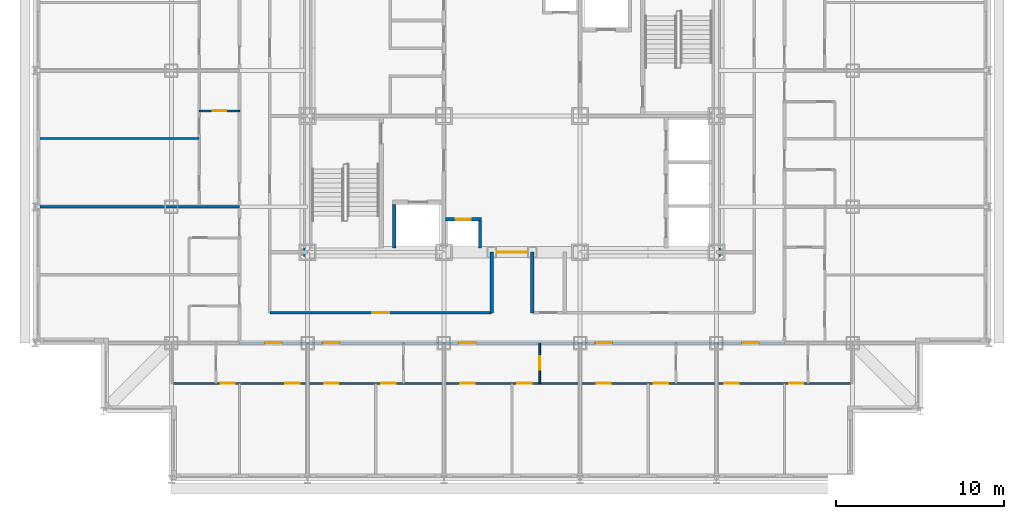
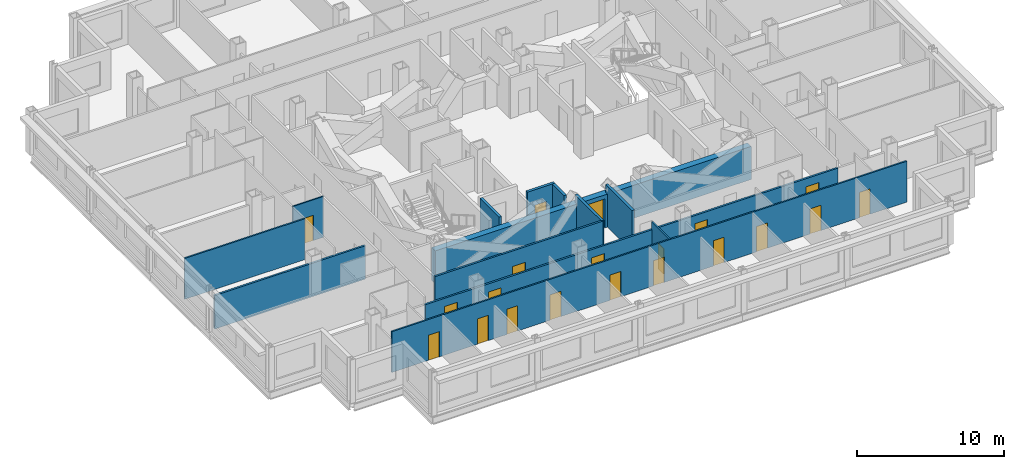
# One storey, part 5 of 12: 20 doors, 13 walls, 20 openings.
"""IFC4 building model written with IfcOpenShell, lengths in metres."""

from ifc_helpers import new_model, si_unit, direction, frame, frame_2d, origin, place, context, subcontext, project, spatial, rectangle, extrude, material, layer, layer_set, type_object, element, fill, save


model = new_model("IFC4")

# Units and contexts
model_context = context("Model", 3, precision=1e-05, world=origin(), true_north=direction((0.0, 1.0)))
body_context = subcontext(model_context, "Body", "Model", "MODEL_VIEW")
ifc_project = project(units=[si_unit("LENGTHUNIT", "METRE"), si_unit("AREAUNIT", "SQUARE_METRE"), si_unit("VOLUMEUNIT", "CUBIC_METRE"), si_unit("PLANEANGLEUNIT", "RADIAN"), si_unit("MASSUNIT", "GRAM", prefix="KILO")], contexts=[model_context])

# Site, building, storey
site_placement = place(None, origin())
site = spatial("IfcSite", under=ifc_project, at=site_placement, CompositionType="ELEMENT")
building_placement = place(site_placement, origin())
building = spatial("IfcBuilding", under=site, at=building_placement, Name="Kopane Lantern Tower", CompositionType="ELEMENT")
storey_placement = place(building_placement, frame((0.0, 0.0, 188.39990234375)))
storey = spatial("IfcBuildingStorey", under=building, at=storey_placement, Name="L48", CompositionType="ELEMENT", Elevation=188.39990234375)

# Wall
ifc_material_1 = material(Name="Gypsum board on steel studs", Category="steel")
ifc_layer_1 = layer(ifc_material_1, 0.1201171875)
ifc_layer_set_1 = layer_set([ifc_layer_1], Name="APARTMENT INTERNAL WALL 120")
wall_type_1 = type_object("IfcWallType", Name="APARTMENT INTERNAL WALL 120", PredefinedType="PARTITIONING", material=ifc_layer_set_1)
wall_1_placement = place(storey_placement, frame((9.75, 31.050048828125, 0.0), z_axis=(0.0, 0.0, 1.0), x_axis=(-1.0, 0.0, 0.0)))
element("IfcWall", 1, at=wall_1_placement, inside=storey, type_object=wall_type_1, Name="Apartment Internal Wall 120 L48", PredefinedType="PARTITIONING", context=body_context, shape_type="SweptSolid", body=[
    extrude(rectangle(XDim=9.449951171875, YDim=0.1201171875, at=frame_2d((4.72509765625, 0.0))), origin(), (0.0, 0.0, 1.0), 3.39013671875),
])

# Wall, openings, doors
wall_2_placement = place(storey_placement, frame((8.14990234375, 16.5, 0.0), z_axis=(0.0, 0.0, 1.0), x_axis=(1.0, 0.0, 0.0)))
wall_2 = element("IfcWall", 2, at=wall_2_placement, inside=storey, type_object=wall_type_1, Name="Apartment Internal Wall 120 L48", PredefinedType="PARTITIONING", context=body_context, shape_type="SweptSolid", body=[
    extrude(rectangle(XDim=40.400146484375, YDim=0.1201171875, at=frame_2d((20.2001953125, 0.0))), origin(), (0.0, 0.0, 1.0), 3.39013671875),
])
opening_1_placement = place(wall_2_placement, frame((9.02490234375, 0.0, 0.0)))
opening_1 = element("IfcOpeningElement", 3, at=opening_1_placement, cuts=wall_2, Name="Opening L48-014", PredefinedType="OPENING", context=body_context, shape_type="SweptSolid", body=[
    extrude(rectangle(XDim=0.85009765625, YDim=2.10009765625, at=frame_2d((0.425048828125, 1.050048828125))), frame((0.0, 0.070068359375, 0.0), z_axis=(0.0, -1.0, 0.0), x_axis=(1.0, 0.0, 0.0)), (0.0, 0.0, 1.0), 0.14013671875),
])
opening_2_placement = place(wall_2_placement, frame((12.425048828125, 0.0, 0.0)))
opening_2 = element("IfcOpeningElement", 4, at=opening_2_placement, cuts=wall_2, Name="Opening L48-015", PredefinedType="OPENING", context=body_context, shape_type="SweptSolid", body=[
    extrude(rectangle(XDim=0.85009765625, YDim=2.10009765625, at=frame_2d((0.425048828125, 1.050048828125))), frame((0.0, 0.070068359375, 0.0), z_axis=(0.0, -1.0, 0.0), x_axis=(1.0, 0.0, 0.0)), (0.0, 0.0, 1.0), 0.14013671875),
])
opening_3_placement = place(wall_2_placement, frame((17.125, 0.0, 0.0)))
opening_3 = element("IfcOpeningElement", 5, at=opening_3_placement, cuts=wall_2, Name="Opening L48-018", PredefinedType="OPENING", context=body_context, shape_type="SweptSolid", body=[
    extrude(rectangle(XDim=0.85009765625, YDim=2.10009765625, at=frame_2d((0.425048828125, 1.050048828125))), frame((0.0, 0.070068359375, 0.0), z_axis=(0.0, -1.0, 0.0), x_axis=(1.0, 0.0, 0.0)), (0.0, 0.0, 1.0), 0.14013671875),
])
opening_4_placement = place(wall_2_placement, frame((20.52490234375, 0.0, 0.0)))
opening_4 = element("IfcOpeningElement", 6, at=opening_4_placement, cuts=wall_2, Name="Opening L48-019", PredefinedType="OPENING", context=body_context, shape_type="SweptSolid", body=[
    extrude(rectangle(XDim=0.85009765625, YDim=2.10009765625, at=frame_2d((0.425048828125, 1.050048828125))), frame((0.0, 0.070068359375, 0.0), z_axis=(0.0, -1.0, 0.0), x_axis=(1.0, 0.0, 0.0)), (0.0, 0.0, 1.0), 0.14013671875),
])
opening_5_placement = place(wall_2_placement, frame((25.22509765625, 0.0, 0.0)))
opening_5 = element("IfcOpeningElement", 7, at=opening_5_placement, cuts=wall_2, Name="Opening L48-022", PredefinedType="OPENING", context=body_context, shape_type="SweptSolid", body=[
    extrude(rectangle(XDim=0.85009765625, YDim=2.10009765625, at=frame_2d((0.425048828125, 1.050048828125))), frame((0.0, 0.070068359375, 0.0), z_axis=(0.0, -1.0, 0.0), x_axis=(1.0, 0.0, 0.0)), (0.0, 0.0, 1.0), 0.14013671875),
])
opening_6_placement = place(wall_2_placement, frame((28.625, 0.0, 0.0)))
opening_6 = element("IfcOpeningElement", 8, at=opening_6_placement, cuts=wall_2, Name="Opening L48-023", PredefinedType="OPENING", context=body_context, shape_type="SweptSolid", body=[
    extrude(rectangle(XDim=0.85009765625, YDim=2.10009765625, at=frame_2d((0.425048828125, 1.050048828125))), frame((0.0, 0.070068359375, 0.0), z_axis=(0.0, -1.0, 0.0), x_axis=(1.0, 0.0, 0.0)), (0.0, 0.0, 1.0), 0.14013671875),
])
opening_7_placement = place(wall_2_placement, frame((6.72509765625, 0.0, 0.0)))
opening_7 = element("IfcOpeningElement", 9, at=opening_7_placement, cuts=wall_2, Name="Opening L48-061", PredefinedType="OPENING", context=body_context, shape_type="SweptSolid", body=[
    extrude(rectangle(XDim=0.85009765625, YDim=2.10009765625, at=frame_2d((0.425048828125, 1.050048828125))), frame((0.0, 0.070068359375, 0.0), z_axis=(0.0, -1.0, 0.0), x_axis=(1.0, 0.0, 0.0)), (0.0, 0.0, 1.0), 0.14013671875),
])
opening_8_placement = place(wall_2_placement, frame((2.875, 0.0, 0.0)))
opening_8 = element("IfcOpeningElement", 10, at=opening_8_placement, cuts=wall_2, Name="Opening L48-063", PredefinedType="OPENING", context=body_context, shape_type="SweptSolid", body=[
    extrude(rectangle(XDim=0.85009765625, YDim=2.10009765625, at=frame_2d((0.425048828125, 1.050048828125))), frame((0.0, 0.070068359375, 0.0), z_axis=(0.0, -1.0, 0.0), x_axis=(1.0, 0.0, 0.0)), (0.0, 0.0, 1.0), 0.14013671875),
])
opening_9_placement = place(wall_2_placement, frame((32.824951171875, 0.0, 0.0)))
opening_9 = element("IfcOpeningElement", 11, at=opening_9_placement, cuts=wall_2, Name="Opening L48-065", PredefinedType="OPENING", context=body_context, shape_type="SweptSolid", body=[
    extrude(rectangle(XDim=0.85009765625, YDim=2.10009765625, at=frame_2d((0.425048828125, 1.050048828125))), frame((0.0, 0.070068359375, 0.0), z_axis=(0.0, -1.0, 0.0), x_axis=(1.0, 0.0, 0.0)), (0.0, 0.0, 1.0), 0.14013671875),
])
opening_10_placement = place(wall_2_placement, frame((36.675048828125, 0.0, 0.0)))
opening_10 = element("IfcOpeningElement", 12, at=opening_10_placement, cuts=wall_2, Name="Opening L48-067", PredefinedType="OPENING", context=body_context, shape_type="SweptSolid", body=[
    extrude(rectangle(XDim=0.85009765625, YDim=2.10009765625, at=frame_2d((0.425048828125, 1.050048828125))), frame((0.0, 0.070068359375, 0.0), z_axis=(0.0, -1.0, 0.0), x_axis=(1.0, 0.0, 0.0)), (0.0, 0.0, 1.0), 0.14013671875),
])
ifc_material_2 = material(Name="Timber door set", Category="wood")
door_type_1 = type_object("IfcDoorType", Name="DOOR D4 850x2100", OperationType="SINGLE_SWING_LEFT", PredefinedType="DOOR", material=ifc_material_2)
door_1_placement = place(opening_1_placement, origin())
door_1 = element("IfcDoor", 13, at=door_1_placement, inside=storey, type_object=door_type_1, Name="Door L48-014", OperationType="SINGLE_SWING_LEFT", OverallHeight=2.10009765625, OverallWidth=0.85009765625, PredefinedType="DOOR", context=body_context, shape_type="SweptSolid", body=[
    extrude(rectangle(XDim=0.85009765625, YDim=2.10009765625, at=frame_2d((0.425048828125, 1.050048828125))), frame((0.0, 0.02490234375, 0.0), z_axis=(0.0, -1.0, 0.0), x_axis=(1.0, 0.0, 0.0)), (0.0, 0.0, 1.0), 0.050048828125),
])
fill(opening_1, door_1)
door_2_placement = place(opening_2_placement, origin())
door_2 = element("IfcDoor", 14, at=door_2_placement, inside=storey, type_object=door_type_1, Name="Door L48-015", OperationType="SINGLE_SWING_RIGHT", OverallHeight=2.10009765625, OverallWidth=0.85009765625, PredefinedType="DOOR", context=body_context, shape_type="SweptSolid", body=[
    extrude(rectangle(XDim=0.85009765625, YDim=2.10009765625, at=frame_2d((0.425048828125, 1.050048828125))), frame((0.0, 0.02490234375, 0.0), z_axis=(0.0, -1.0, 0.0), x_axis=(1.0, 0.0, 0.0)), (0.0, 0.0, 1.0), 0.050048828125),
])
fill(opening_2, door_2)
door_3_placement = place(opening_3_placement, origin())
door_3 = element("IfcDoor", 15, at=door_3_placement, inside=storey, type_object=door_type_1, Name="Door L48-018", OperationType="SINGLE_SWING_LEFT", OverallHeight=2.10009765625, OverallWidth=0.85009765625, PredefinedType="DOOR", context=body_context, shape_type="SweptSolid", body=[
    extrude(rectangle(XDim=0.85009765625, YDim=2.10009765625, at=frame_2d((0.425048828125, 1.050048828125))), frame((0.0, 0.02490234375, 0.0), z_axis=(0.0, -1.0, 0.0), x_axis=(1.0, 0.0, 0.0)), (0.0, 0.0, 1.0), 0.050048828125),
])
fill(opening_3, door_3)
door_4_placement = place(opening_4_placement, origin())
door_4 = element("IfcDoor", 16, at=door_4_placement, inside=storey, type_object=door_type_1, Name="Door L48-019", OperationType="SINGLE_SWING_RIGHT", OverallHeight=2.10009765625, OverallWidth=0.85009765625, PredefinedType="DOOR", context=body_context, shape_type="SweptSolid", body=[
    extrude(rectangle(XDim=0.85009765625, YDim=2.10009765625, at=frame_2d((0.425048828125, 1.050048828125))), frame((0.0, 0.02490234375, 0.0), z_axis=(0.0, -1.0, 0.0), x_axis=(1.0, 0.0, 0.0)), (0.0, 0.0, 1.0), 0.050048828125),
])
fill(opening_4, door_4)
door_5_placement = place(opening_5_placement, origin())
door_5 = element("IfcDoor", 17, at=door_5_placement, inside=storey, type_object=door_type_1, Name="Door L48-022", OperationType="SINGLE_SWING_LEFT", OverallHeight=2.10009765625, OverallWidth=0.85009765625, PredefinedType="DOOR", context=body_context, shape_type="SweptSolid", body=[
    extrude(rectangle(XDim=0.85009765625, YDim=2.10009765625, at=frame_2d((0.425048828125, 1.050048828125))), frame((0.0, 0.02490234375, 0.0), z_axis=(0.0, -1.0, 0.0), x_axis=(1.0, 0.0, 0.0)), (0.0, 0.0, 1.0), 0.050048828125),
])
fill(opening_5, door_5)
door_6_placement = place(opening_6_placement, origin())
door_6 = element("IfcDoor", 18, at=door_6_placement, inside=storey, type_object=door_type_1, Name="Door L48-023", OperationType="SINGLE_SWING_RIGHT", OverallHeight=2.10009765625, OverallWidth=0.85009765625, PredefinedType="DOOR", context=body_context, shape_type="SweptSolid", body=[
    extrude(rectangle(XDim=0.85009765625, YDim=2.10009765625, at=frame_2d((0.425048828125, 1.050048828125))), frame((0.0, 0.02490234375, 0.0), z_axis=(0.0, -1.0, 0.0), x_axis=(1.0, 0.0, 0.0)), (0.0, 0.0, 1.0), 0.050048828125),
])
fill(opening_6, door_6)
door_7_placement = place(opening_7_placement, origin())
door_7 = element("IfcDoor", 19, at=door_7_placement, inside=storey, type_object=door_type_1, Name="Door L48-061", OperationType="SINGLE_SWING_RIGHT", OverallHeight=2.10009765625, OverallWidth=0.85009765625, PredefinedType="DOOR", context=body_context, shape_type="SweptSolid", body=[
    extrude(rectangle(XDim=0.85009765625, YDim=2.10009765625, at=frame_2d((0.425048828125, 1.050048828125))), frame((0.0, 0.02490234375, 0.0), z_axis=(0.0, -1.0, 0.0), x_axis=(1.0, 0.0, 0.0)), (0.0, 0.0, 1.0), 0.050048828125),
])
fill(opening_7, door_7)
door_8_placement = place(opening_8_placement, origin())
door_8 = element("IfcDoor", 20, at=door_8_placement, inside=storey, type_object=door_type_1, Name="Door L48-063", OperationType="SINGLE_SWING_LEFT", OverallHeight=2.10009765625, OverallWidth=0.85009765625, PredefinedType="DOOR", context=body_context, shape_type="SweptSolid", body=[
    extrude(rectangle(XDim=0.85009765625, YDim=2.10009765625, at=frame_2d((0.425048828125, 1.050048828125))), frame((0.0, 0.02490234375, 0.0), z_axis=(0.0, -1.0, 0.0), x_axis=(1.0, 0.0, 0.0)), (0.0, 0.0, 1.0), 0.050048828125),
])
fill(opening_8, door_8)
door_9_placement = place(opening_9_placement, origin())
door_9 = element("IfcDoor", 21, at=door_9_placement, inside=storey, type_object=door_type_1, Name="Door L48-065", OperationType="SINGLE_SWING_LEFT", OverallHeight=2.10009765625, OverallWidth=0.85009765625, PredefinedType="DOOR", context=body_context, shape_type="SweptSolid", body=[
    extrude(rectangle(XDim=0.85009765625, YDim=2.10009765625, at=frame_2d((0.425048828125, 1.050048828125))), frame((0.0, 0.02490234375, 0.0), z_axis=(0.0, -1.0, 0.0), x_axis=(1.0, 0.0, 0.0)), (0.0, 0.0, 1.0), 0.050048828125),
])
fill(opening_9, door_9)
door_10_placement = place(opening_10_placement, origin())
door_10 = element("IfcDoor", 22, at=door_10_placement, inside=storey, type_object=door_type_1, Name="Door L48-067", OperationType="SINGLE_SWING_RIGHT", OverallHeight=2.10009765625, OverallWidth=0.85009765625, PredefinedType="DOOR", context=body_context, shape_type="SweptSolid", body=[
    extrude(rectangle(XDim=0.85009765625, YDim=2.10009765625, at=frame_2d((0.425048828125, 1.050048828125))), frame((0.0, 0.02490234375, 0.0), z_axis=(0.0, -1.0, 0.0), x_axis=(1.0, 0.0, 0.0)), (0.0, 0.0, 1.0), 0.050048828125),
])
fill(opening_10, door_10)

# Wall, opening, door
ifc_material_3 = material(Name="Moisture-resistant board on steel studs", Category="steel")
ifc_layer_2 = layer(ifc_material_3, 0.10009765625)
ifc_layer_set_2 = layer_set([ifc_layer_2], Name="BATHROOM WALL 100")
wall_type_2 = type_object("IfcWallType", Name="BATHROOM WALL 100", PredefinedType="PARTITIONING", material=ifc_layer_set_2)
wall_3_placement = place(storey_placement, frame((30.0, 18.89990234375, 0.0), z_axis=(0.0, 0.0, 1.0), x_axis=(0.0, -1.0, 0.0)))
wall_3 = element("IfcWall", 23, at=wall_3_placement, inside=storey, type_object=wall_type_2, Name="Bathroom Wall 100 L48", PredefinedType="PARTITIONING", context=body_context, shape_type="SweptSolid", body=[
    extrude(rectangle(XDim=2.39990234375, YDim=0.10009765625, at=frame_2d((1.199951171875, 0.0))), origin(), (0.0, 0.0, 1.0), 3.39013671875),
])
opening_11_placement = place(wall_3_placement, frame((0.800048828125, 0.0, 0.0)))
opening_11 = element("IfcOpeningElement", 24, at=opening_11_placement, cuts=wall_3, Name="Opening L48-016", PredefinedType="OPENING", context=body_context, shape_type="SweptSolid", body=[
    extrude(rectangle(XDim=0.800048828125, YDim=2.10009765625, at=frame_2d((0.39990234375, 1.050048828125))), frame((0.0, 0.06005859375, 0.0), z_axis=(0.0, -1.0, 0.0), x_axis=(1.0, 0.0, 0.0)), (0.0, 0.0, 1.0), 0.1201171875),
])
ifc_material_4 = material(Name="Timber door set", Category="wood")
door_type_2 = type_object("IfcDoorType", Name="DOOR D2 800x2100", OperationType="SINGLE_SWING_LEFT", PredefinedType="DOOR", material=ifc_material_4)
door_11_placement = place(opening_11_placement, origin())
door_11 = element("IfcDoor", 25, at=door_11_placement, inside=storey, type_object=door_type_2, Name="Door L48-016", OperationType="SINGLE_SWING_LEFT", OverallHeight=2.10009765625, OverallWidth=0.800048828125, PredefinedType="DOOR", context=body_context, shape_type="SweptSolid", body=[
    extrude(rectangle(XDim=0.800048828125, YDim=2.10009765625, at=frame_2d((0.39990234375, 1.050048828125))), frame((0.0, 0.02490234375, 0.0), z_axis=(0.0, -1.0, 0.0), x_axis=(1.0, 0.0, 0.0)), (0.0, 0.0, 1.0), 0.050048828125),
])
fill(opening_11, door_11)

wall_4_placement = place(storey_placement, frame((12.14990234375, 32.699951171875, 0.0), z_axis=(0.0, 0.0, 1.0), x_axis=(-1.0, 0.0, 0.0)))
wall_4 = element("IfcWall", 26, at=wall_4_placement, inside=storey, type_object=wall_type_2, Name="Bathroom Wall 100 L48", PredefinedType="PARTITIONING", context=body_context, shape_type="SweptSolid", body=[
    extrude(rectangle(XDim=2.39990234375, YDim=0.10009765625, at=frame_2d((1.199951171875, 0.0))), origin(), (0.0, 0.0, 1.0), 3.39013671875),
])
opening_12_placement = place(wall_4_placement, frame((0.800048828125, 0.0, 0.0)))
opening_12 = element("IfcOpeningElement", 27, at=opening_12_placement, cuts=wall_4, Name="Opening L48-036", PredefinedType="OPENING", context=body_context, shape_type="SweptSolid", body=[
    extrude(rectangle(XDim=0.800048828125, YDim=2.10009765625, at=frame_2d((0.39990234375, 1.050048828125))), frame((0.0, 0.06005859375, 0.0), z_axis=(0.0, -1.0, 0.0), x_axis=(1.0, 0.0, 0.0)), (0.0, 0.0, 1.0), 0.1201171875),
])
door_12_placement = place(opening_12_placement, origin())
door_12 = element("IfcDoor", 28, at=door_12_placement, inside=storey, type_object=door_type_2, Name="Door L48-036", OperationType="SINGLE_SWING_RIGHT", OverallHeight=2.10009765625, OverallWidth=0.800048828125, PredefinedType="DOOR", context=body_context, shape_type="SweptSolid", body=[
    extrude(rectangle(XDim=0.800048828125, YDim=2.10009765625, at=frame_2d((0.39990234375, 1.050048828125))), frame((0.0, 0.02490234375, 0.0), z_axis=(0.0, -1.0, 0.0), x_axis=(1.0, 0.0, 0.0)), (0.0, 0.0, 1.0), 0.050048828125),
])
fill(opening_12, door_12)

ifc_material_5 = material(Name="Gypsum shaft wall EI 120", Category="gypsum")
ifc_layer_3 = layer(ifc_material_5, 0.5)
ifc_layer_set_3 = layer_set([ifc_layer_3], Name="CORE PERIMETER WALL 500 EI 120")
wall_type_3 = type_object("IfcWallType", Name="CORE PERIMETER WALL 500 EI 120", PredefinedType="SOLIDWALL", material=ifc_layer_set_3)
wall_5_placement = place(storey_placement, frame((15.949951171875, 24.300048828125, 0.0), z_axis=(0.0, 0.0, 1.0), x_axis=(1.0, 0.0, 0.0)))
wall_5 = element("IfcWall", 29, at=wall_5_placement, inside=storey, type_object=wall_type_3, Name="Core shaft wall L48 PS", PredefinedType="SOLIDWALL", context=body_context, shape_type="SweptSolid", body=[
    extrude(rectangle(XDim=24.800048828125, YDim=0.5, at=frame_2d((12.39990234375, 0.0))), origin(), (0.0, 0.0, 1.0), 2.739990234375),
])
opening_13_placement = place(wall_5_placement, frame((11.5, 0.0, 0.0)))
opening_13 = element("IfcOpeningElement", 30, at=opening_13_placement, cuts=wall_5, Name="Opening 48.CE-S", PredefinedType="OPENING", context=body_context, shape_type="SweptSolid", body=[
    extrude(rectangle(XDim=1.800048828125, YDim=2.39990234375, at=frame_2d((0.89990234375, 1.199951171875))), frame((0.0, 0.260009765625, 0.0), z_axis=(0.0, -1.0, 0.0), x_axis=(1.0, 0.0, 0.0)), (0.0, 0.0, 1.0), 0.52001953125),
])
ifc_material_6 = material(Name="Steel door set", Category="steel")
door_type_3 = type_object("IfcDoorType", Name="CORE ENTRY DOOR 1800x2400 FD60S", OperationType="DOUBLE_DOOR_SINGLE_SWING", PredefinedType="DOOR", material=ifc_material_6)
door_13_placement = place(opening_13_placement, origin())
door_13 = element("IfcDoor", 31, at=door_13_placement, inside=storey, type_object=door_type_3, Name="Core entry door L48 south", OperationType="DOUBLE_DOOR_SINGLE_SWING", OverallHeight=2.39990234375, OverallWidth=1.800048828125, PredefinedType="DOOR", context=body_context, shape_type="SweptSolid", body=[
    extrude(rectangle(XDim=1.800048828125, YDim=2.39990234375, at=frame_2d((0.89990234375, 1.199951171875))), frame((0.0, 0.02490234375, 0.0), z_axis=(0.0, -1.0, 0.0), x_axis=(1.0, 0.0, 0.0)), (0.0, 0.0, 1.0), 0.050048828125),
])
fill(opening_13, door_13)

# Wall, openings, doors
ifc_material_7 = material(Name="Gypsum board on steel studs", Category="steel")
ifc_layer_4 = layer(ifc_material_7, 0.14990234375)
ifc_layer_set_4 = layer_set([ifc_layer_4], Name="CORRIDOR WALL 150 EI 60")
wall_type_4 = type_object("IfcWallType", Name="CORRIDOR WALL 150 EI 60", PredefinedType="PARTITIONING", material=ifc_layer_set_4)
wall_6_placement = place(storey_placement, frame((12.14990234375, 18.89990234375, 0.0), z_axis=(0.0, 0.0, 1.0), x_axis=(1.0, 0.0, 0.0)))
wall_6 = element("IfcWall", 32, at=wall_6_placement, inside=storey, type_object=wall_type_4, Name="Corridor Wall 150 Ei 60 L48", PredefinedType="PARTITIONING", context=body_context, shape_type="SweptSolid", body=[
    extrude(rectangle(XDim=32.400146484375, YDim=0.14990234375, at=frame_2d((16.2001953125, 0.0))), origin(), (0.0, 0.0, 1.0), 2.77783203125),
])
opening_14_placement = place(wall_6_placement, frame((4.949951171875, 0.0, 0.0)))
opening_14 = element("IfcOpeningElement", 33, at=opening_14_placement, cuts=wall_6, Name="Opening L48-013", PredefinedType="OPENING", context=body_context, shape_type="SweptSolid", body=[
    extrude(rectangle(XDim=1.0, YDim=2.10009765625, at=frame_2d((0.5, 1.050048828125))), frame((0.0, 0.0849609375, 0.0), z_axis=(0.0, -1.0, 0.0), x_axis=(1.0, 0.0, 0.0)), (0.0, 0.0, 1.0), 0.169921875),
])
opening_15_placement = place(wall_6_placement, frame((13.050048828125, 0.0, 0.0)))
opening_15 = element("IfcOpeningElement", 34, at=opening_15_placement, cuts=wall_6, Name="Opening L48-017", PredefinedType="OPENING", context=body_context, shape_type="SweptSolid", body=[
    extrude(rectangle(XDim=1.0, YDim=2.10009765625, at=frame_2d((0.5, 1.050048828125))), frame((0.0, 0.0849609375, 0.0), z_axis=(0.0, -1.0, 0.0), x_axis=(1.0, 0.0, 0.0)), (0.0, 0.0, 1.0), 0.169921875),
])
opening_16_placement = place(wall_6_placement, frame((21.14990234375, 0.0, 0.0)))
opening_16 = element("IfcOpeningElement", 35, at=opening_16_placement, cuts=wall_6, Name="Opening L48-021", PredefinedType="OPENING", context=body_context, shape_type="SweptSolid", body=[
    extrude(rectangle(XDim=1.0, YDim=2.10009765625, at=frame_2d((0.5, 1.050048828125))), frame((0.0, 0.0849609375, 0.0), z_axis=(0.0, -1.0, 0.0), x_axis=(1.0, 0.0, 0.0)), (0.0, 0.0, 1.0), 0.169921875),
])
opening_17_placement = place(wall_6_placement, frame((1.52490234375, 0.0, 0.0)))
opening_17 = element("IfcOpeningElement", 36, at=opening_17_placement, cuts=wall_6, Name="Opening L48-060", PredefinedType="OPENING", context=body_context, shape_type="SweptSolid", body=[
    extrude(rectangle(XDim=1.0, YDim=2.10009765625, at=frame_2d((0.5, 1.050048828125))), frame((0.0, 0.0849609375, 0.0), z_axis=(0.0, -1.0, 0.0), x_axis=(1.0, 0.0, 0.0)), (0.0, 0.0, 1.0), 0.169921875),
])
opening_18_placement = place(wall_6_placement, frame((29.875, 0.0, 0.0)))
opening_18 = element("IfcOpeningElement", 37, at=opening_18_placement, cuts=wall_6, Name="Opening L48-064", PredefinedType="OPENING", context=body_context, shape_type="SweptSolid", body=[
    extrude(rectangle(XDim=1.0, YDim=2.10009765625, at=frame_2d((0.5, 1.050048828125))), frame((0.0, 0.0849609375, 0.0), z_axis=(0.0, -1.0, 0.0), x_axis=(1.0, 0.0, 0.0)), (0.0, 0.0, 1.0), 0.169921875),
])
ifc_material_8 = material(Name="Steel door set", Category="steel")
door_type_4 = type_object("IfcDoorType", Name="DOOR D3 1000x2100 FD30S", OperationType="SINGLE_SWING_LEFT", PredefinedType="DOOR", material=ifc_material_8)
door_14_placement = place(opening_14_placement, origin())
door_14 = element("IfcDoor", 38, at=door_14_placement, inside=storey, type_object=door_type_4, Name="Door L48-013", OperationType="SINGLE_SWING_RIGHT", OverallHeight=2.10009765625, OverallWidth=1.0, PredefinedType="DOOR", context=body_context, shape_type="SweptSolid", body=[
    extrude(rectangle(XDim=1.0, YDim=2.10009765625, at=frame_2d((0.5, 1.050048828125))), frame((0.0, 0.02490234375, 0.0), z_axis=(0.0, -1.0, 0.0), x_axis=(1.0, 0.0, 0.0)), (0.0, 0.0, 1.0), 0.050048828125),
])
fill(opening_14, door_14)
door_15_placement = place(opening_15_placement, origin())
door_15 = element("IfcDoor", 39, at=door_15_placement, inside=storey, type_object=door_type_4, Name="Door L48-017", OperationType="SINGLE_SWING_RIGHT", OverallHeight=2.10009765625, OverallWidth=1.0, PredefinedType="DOOR", context=body_context, shape_type="SweptSolid", body=[
    extrude(rectangle(XDim=1.0, YDim=2.10009765625, at=frame_2d((0.5, 1.050048828125))), frame((0.0, 0.02490234375, 0.0), z_axis=(0.0, -1.0, 0.0), x_axis=(1.0, 0.0, 0.0)), (0.0, 0.0, 1.0), 0.050048828125),
])
fill(opening_15, door_15)
door_16_placement = place(opening_16_placement, origin())
door_16 = element("IfcDoor", 40, at=door_16_placement, inside=storey, type_object=door_type_4, Name="Door L48-021", OperationType="SINGLE_SWING_RIGHT", OverallHeight=2.10009765625, OverallWidth=1.0, PredefinedType="DOOR", context=body_context, shape_type="SweptSolid", body=[
    extrude(rectangle(XDim=1.0, YDim=2.10009765625, at=frame_2d((0.5, 1.050048828125))), frame((0.0, 0.02490234375, 0.0), z_axis=(0.0, -1.0, 0.0), x_axis=(1.0, 0.0, 0.0)), (0.0, 0.0, 1.0), 0.050048828125),
])
fill(opening_16, door_16)
door_17_placement = place(opening_17_placement, origin())
door_17 = element("IfcDoor", 41, at=door_17_placement, inside=storey, type_object=door_type_4, Name="Door L48-060", OperationType="SINGLE_SWING_LEFT", OverallHeight=2.10009765625, OverallWidth=1.0, PredefinedType="DOOR", context=body_context, shape_type="SweptSolid", body=[
    extrude(rectangle(XDim=1.0, YDim=2.10009765625, at=frame_2d((0.5, 1.050048828125))), frame((0.0, 0.02490234375, 0.0), z_axis=(0.0, -1.0, 0.0), x_axis=(1.0, 0.0, 0.0)), (0.0, 0.0, 1.0), 0.050048828125),
])
fill(opening_17, door_17)
door_18_placement = place(opening_18_placement, origin())
door_18 = element("IfcDoor", 42, at=door_18_placement, inside=storey, type_object=door_type_4, Name="Door L48-064", OperationType="SINGLE_SWING_RIGHT", OverallHeight=2.10009765625, OverallWidth=1.0, PredefinedType="DOOR", context=body_context, shape_type="SweptSolid", body=[
    extrude(rectangle(XDim=1.0, YDim=2.10009765625, at=frame_2d((0.5, 1.050048828125))), frame((0.0, 0.02490234375, 0.0), z_axis=(0.0, -1.0, 0.0), x_axis=(1.0, 0.0, 0.0)), (0.0, 0.0, 1.0), 0.050048828125),
])
fill(opening_18, door_18)

# Wall, opening, door
wall_7_placement = place(storey_placement, frame((13.949951171875, 20.699951171875, 0.0), z_axis=(0.0, 0.0, 1.0), x_axis=(1.0, 0.0, 0.0)))
wall_7 = element("IfcWall", 43, at=wall_7_placement, inside=storey, type_object=wall_type_4, Name="Corridor Wall 150 Ei 60 L48", PredefinedType="PARTITIONING", context=body_context, shape_type="SweptSolid", body=[
    extrude(rectangle(XDim=13.18994140625, YDim=0.14990234375, at=frame_2d((6.594970703125, 0.0))), origin(), (0.0, 0.0, 1.0), 3.39013671875),
])
opening_19_placement = place(wall_7_placement, frame((6.10009765625, 0.0, 0.0)))
opening_19 = element("IfcOpeningElement", 44, at=opening_19_placement, cuts=wall_7, Name="Opening L48-005", PredefinedType="OPENING", context=body_context, shape_type="SweptSolid", body=[
    extrude(rectangle(XDim=1.0, YDim=2.10009765625, at=frame_2d((0.5, 1.050048828125))), frame((0.0, 0.0849609375, 0.0), z_axis=(0.0, -1.0, 0.0), x_axis=(1.0, 0.0, 0.0)), (0.0, 0.0, 1.0), 0.169921875),
])
ifc_material_9 = material(Name="Steel door set", Category="steel")
door_type_5 = type_object("IfcDoorType", Name="DOOR D5 1000x2100 FD60", OperationType="SINGLE_SWING_LEFT", PredefinedType="DOOR", material=ifc_material_9)
door_19_placement = place(opening_19_placement, origin())
door_19 = element("IfcDoor", 45, at=door_19_placement, inside=storey, type_object=door_type_5, Name="Door L48-005", OperationType="SINGLE_SWING_LEFT", OverallHeight=2.10009765625, OverallWidth=1.0, PredefinedType="DOOR", context=body_context, shape_type="SweptSolid", body=[
    extrude(rectangle(XDim=1.0, YDim=2.10009765625, at=frame_2d((0.5, 1.050048828125))), frame((0.0, 0.02490234375, 0.0), z_axis=(0.0, -1.0, 0.0), x_axis=(1.0, 0.0, 0.0)), (0.0, 0.0, 1.0), 0.050048828125),
])
fill(opening_19, door_19)

# Walls
ifc_material_10 = material(Name="Gypsum board on steel studs", Category="steel")
ifc_layer_5 = layer(ifc_material_10, 0.14990234375)
ifc_layer_set_5 = layer_set([ifc_layer_5], Name="DEMISING WALL 150 EI 60")
wall_type_5 = type_object("IfcWallType", Name="DEMISING WALL 150 EI 60", PredefinedType="PARTITIONING", material=ifc_layer_set_5)
wall_8_placement = place(storey_placement, frame((12.14990234375, 27.0, 0.0), z_axis=(0.0, 0.0, 1.0), x_axis=(-1.0, 0.0, 0.0)))
element("IfcWall", 46, at=wall_8_placement, inside=storey, type_object=wall_type_5, Name="Demising Wall 150 Ei 60 L48", PredefinedType="PARTITIONING", context=body_context, shape_type="SweptSolid", body=[
    extrude(rectangle(XDim=11.849853515625, YDim=0.14990234375, at=frame_2d((5.9248046875, 0.0))), origin(), (0.0, 0.0, 1.0), 2.77783203125),
])
ifc_material_11 = material(Name="Concrete masonry", Category="masonry")
ifc_layer_6 = layer(ifc_material_11, 0.199951171875)
ifc_layer_set_6 = layer_set([ifc_layer_6], Name="PLANT ROOM WALL 200 EI 120")
wall_type_6 = type_object("IfcWallType", Name="PLANT ROOM WALL 200 EI 120", PredefinedType="SOLIDWALL", material=ifc_layer_set_6)
for number, where, z_axis, x_axis, name in (
    (47, (27.14990234375, 20.699951171875, 0.0), (0.0, 0.0, 1.0), (0.0, 1.0, 0.0), "Plant Room Wall 200 Ei 120 L48"),
    (48, (29.550048828125, 20.699951171875, 0.0), (0.0, 0.0, 1.0), (0.0, 1.0, 0.0), "Plant Room Wall 200 Ei 120 L48"),
):
    element("IfcWall", number, at=place(storey_placement, frame(where, z_axis=z_axis, x_axis=x_axis)), inside=storey, type_object=wall_type_6, Name=name, PredefinedType="SOLIDWALL", context=body_context, shape_type="SweptSolid", body=[
        extrude(rectangle(XDim=3.60009765625, YDim=0.199951171875, at=frame_2d((1.800048828125, 0.0))), origin(), (0.0, 0.0, 1.0), 3.39013671875),
    ])
ifc_material_12 = material(Name="Gypsum shaft wall EI 120", Category="gypsum")
ifc_layer_7 = layer(ifc_material_12, 0.199951171875)
ifc_layer_set_7 = layer_set([ifc_layer_7], Name="SHAFT WALL 200 EI 120")
wall_type_7 = type_object("IfcWallType", Name="SHAFT WALL 200 EI 120", PredefinedType="SOLIDWALL", material=ifc_layer_set_7)
wall_9_placement = place(storey_placement, frame((21.35009765625, 24.550048828125, 0.0), z_axis=(0.0, 0.0, 1.0), x_axis=(0.0, 1.0, 0.0)))
element("IfcWall", 49, at=wall_9_placement, inside=storey, type_object=wall_type_7, Name="Core shaft wall L48 XLF1", PredefinedType="SOLIDWALL", context=body_context, shape_type="SweptSolid", body=[
    extrude(rectangle(XDim=2.599853515625, YDim=0.199951171875, at=frame_2d((1.2998046875, 0.0))), origin(), (0.0, 0.0, 1.0), 3.39013671875),
])
wall_10_placement = place(storey_placement, frame((26.449951171875, 24.550048828125, 0.0), z_axis=(0.0, 0.0, 1.0), x_axis=(0.0, 1.0, 0.0)))
element("IfcWall", 50, at=wall_10_placement, inside=storey, type_object=wall_type_7, Name="Core shaft wall L48 XRS1", PredefinedType="SOLIDWALL", context=body_context, shape_type="SweptSolid", body=[
    extrude(rectangle(XDim=1.599853515625, YDim=0.199951171875, at=frame_2d((0.7998046875, 0.0))), origin(), (0.0, 0.0, 1.0), 3.39013671875),
])

# Wall, opening, door
wall_11_placement = place(storey_placement, frame((24.39990234375, 26.25, 0.0), z_axis=(0.0, 0.0, 1.0), x_axis=(1.0, 0.0, 0.0)))
wall_11 = element("IfcWall", 51, at=wall_11_placement, inside=storey, type_object=wall_type_7, Name="Core shaft wall L48 YRS1", PredefinedType="SOLIDWALL", context=body_context, shape_type="SweptSolid", body=[
    extrude(rectangle(XDim=2.150146484375, YDim=0.199951171875, at=frame_2d((1.0751953125, 0.0))), origin(), (0.0, 0.0, 1.0), 3.39013671875),
])
opening_20_placement = place(wall_11_placement, frame((0.60009765625, 0.0, 0.0)))
opening_20 = element("IfcOpeningElement", 52, at=opening_20_placement, cuts=wall_11, Name="Opening 48.RS1", PredefinedType="OPENING", context=body_context, shape_type="SweptSolid", body=[
    extrude(rectangle(XDim=0.89990234375, YDim=2.10009765625, at=frame_2d((0.449951171875, 1.050048828125))), frame((0.0, 0.10986328125, 0.0), z_axis=(0.0, -1.0, 0.0), x_axis=(1.0, 0.0, 0.0)), (0.0, 0.0, 1.0), 0.219970703125),
])
ifc_material_13 = material(Name="Steel door set", Category="steel")
door_type_6 = type_object("IfcDoorType", Name="RISER ACCESS DOOR 900x2100 FD60", OperationType="SINGLE_SWING_LEFT", PredefinedType="DOOR", material=ifc_material_13)
door_20_placement = place(opening_20_placement, origin())
door_20 = element("IfcDoor", 53, at=door_20_placement, inside=storey, type_object=door_type_6, Name="Riser access door RS1 L48", OperationType="SINGLE_SWING_LEFT", OverallHeight=2.10009765625, OverallWidth=0.89990234375, PredefinedType="DOOR", context=body_context, shape_type="SweptSolid", body=[
    extrude(rectangle(XDim=0.89990234375, YDim=2.10009765625, at=frame_2d((0.449951171875, 1.050048828125))), frame((0.0, 0.02490234375, 0.0), z_axis=(0.0, -1.0, 0.0), x_axis=(1.0, 0.0, 0.0)), (0.0, 0.0, 1.0), 0.050048828125),
])
fill(opening_20, door_20)

save(model, "model.ifc")
